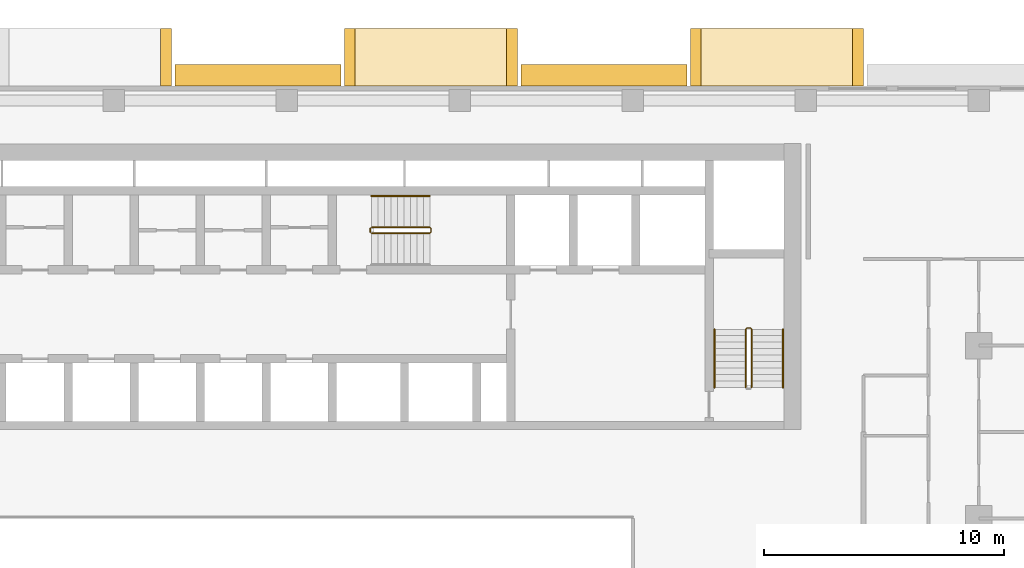
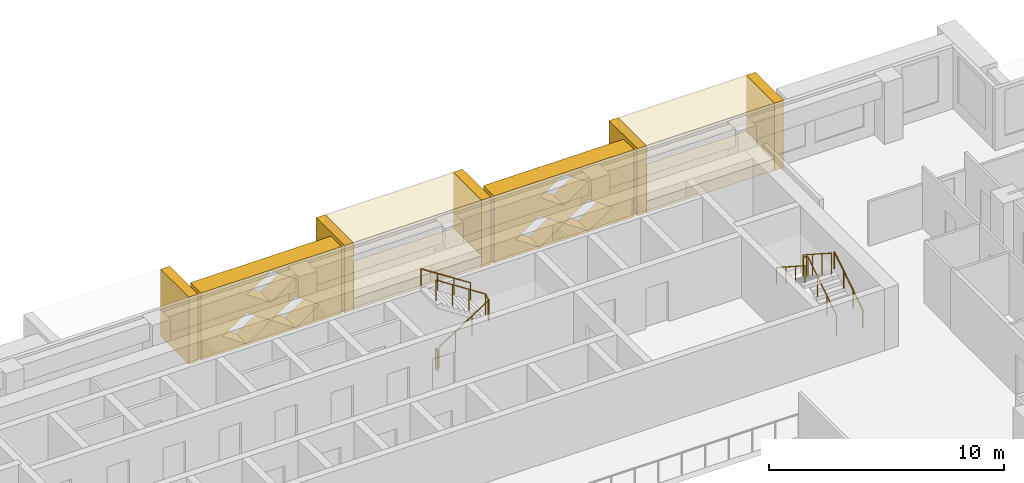
# One storey, part 19 of 20: 11 coverings, 6 railings.
"""IFC4 building model written with IfcOpenShell, lengths in metres."""

from ifc_helpers import new_model, si_unit, direction, frame, origin, origin_2d, place, context, subcontext, project, spatial, polyline, circle, outline, extrude, material, type_object, element, save


model = new_model("IFC4")

# Units and contexts
model_context = context("Model", 3, precision=1e-05, world=origin(), true_north=direction((0.0, 1.0)))
body_context = subcontext(model_context, "Body", "Model", "MODEL_VIEW")
ifc_project = project(units=[si_unit("LENGTHUNIT", "METRE"), si_unit("AREAUNIT", "SQUARE_METRE"), si_unit("VOLUMEUNIT", "CUBIC_METRE"), si_unit("PLANEANGLEUNIT", "RADIAN"), si_unit("MASSUNIT", "GRAM", prefix="KILO")], contexts=[model_context])

# Site, building, storey
site_placement = place(None, origin())
site = spatial("IfcSite", under=ifc_project, at=site_placement, CompositionType="ELEMENT")
building_placement = place(site_placement, origin())
building = spatial("IfcBuilding", under=site, at=building_placement, Name="Saffron Iwan Residences", CompositionType="ELEMENT")
storey_placement = place(building_placement, frame((0.0, 0.0, 123.5)))
storey = spatial("IfcBuildingStorey", under=building, at=storey_placement, Name="L32", CompositionType="ELEMENT", Elevation=123.5)

# Coverings
ifc_material_1 = material(Name="Precast concrete C40/50", Category="concrete")
covering_type_1 = type_object("IfcCoveringType", Name="OUTER SKIN LATTICE SCREEN", PredefinedType="CLADDING", material=ifc_material_1)
for number, where, z_axis, x_axis, name in (
    (1, (67.050048828125, 80.39990234375, -0.300048828125), (0.0, 1.0, 0.0), (-1.0, 0.0, 0.0), "OUTER SKIN lattice screen L32 F5.1"),
    (2, (52.64990234375, 80.39990234375, -0.300048828125), (0.0, 1.0, 0.0), (-1.0, 0.0, 0.0), "OUTER SKIN lattice screen L32 F5.2"),
):
    element("IfcCovering", number, at=place(storey_placement, frame(where, z_axis=z_axis, x_axis=x_axis)), inside=storey, type_object=covering_type_1, Name=name, PredefinedType="CLADDING", context=body_context, shape_type="SweptSolid", body=[
        extrude(outline(polyline([(0.0, 0.0), (6.89990234375, 0.0), (6.89990234375, 3.5), (0.0, 3.5), (0.0, 0.0)]), holes=[polyline([(1.070068359375, 0.875), (2.25, 0.06005859375), (3.429931640625, 0.875), (2.25, 1.68994140625), (1.070068359375, 0.875)]), polyline([(3.469970703125, 0.875), (4.64990234375, 0.06005859375), (5.830078125, 0.875), (4.64990234375, 1.68994140625), (3.469970703125, 0.875)]), polyline([(2.27001953125, 2.625), (3.449951171875, 1.81005859375), (4.6298828125, 2.625), (3.449951171875, 3.43994140625), (2.27001953125, 2.625)])]), origin(), (0.0, 0.0, 1.0), 0.900146484375),
    ])

# Railings
ifc_material_2 = material(Name="Steel S355", Category="steel")
railing_type_1 = type_object("IfcRailingType", Name="Stair guard 1100", PredefinedType="GUARDRAIL", material=ifc_material_2)
railing_1_placement = place(storey_placement, frame((53.925048828125, 74.27490234375, 0.175048828125)))
element("IfcRailing", 3, at=railing_1_placement, inside=storey, type_object=railing_type_1, Name="L32 ST-C stair guard 1", PredefinedType="GUARDRAIL", context=body_context, shape_type="SweptSolid", body=[
    extrude(circle(Radius=0.02392578125, at=origin_2d()), frame((0.0, 0.0, 1.076171875), z_axis=(0.839153699163, 0.0, 0.543894354798), x_axis=(0.0, 1.0, 0.0)), (0.0, 0.0, 1.0), 2.895751953125),
    extrude(circle(Radius=0.02392578125, at=origin_2d()), frame((2.429931640625, 0.0, 2.65087890625), z_axis=(0.707106781187, 0.707106781187, 0.0), x_axis=(-0.707106781187, 0.707106781187, 0.0)), (0.0, 0.0, 1.0), 0.07080078125),
    extrude(circle(Radius=0.02392578125, at=origin_2d()), frame((2.47998046875, 0.050048828125, 2.65087890625), z_axis=(0.0, 1.0, 0.0), x_axis=(-1.0, 0.0, 0.0)), (0.0, 0.0, 1.0), 0.150146484375),
    extrude(circle(Radius=0.02392578125, at=origin_2d()), frame((2.47998046875, 0.2001953125, 2.65087890625), z_axis=(-0.265155923931, 0.263862480399, 0.927399011991), x_axis=(-0.705375805398, -0.708833529934, 0.0)), (0.0, 0.0, 1.0), 0.188720703125),
    extrude(circle(Radius=0.02392578125, at=origin_2d()), frame((2.429931640625, 0.25, 2.826171875), z_axis=(-0.839153699163, 0.0, 0.543894354798), x_axis=(0.0, -1.0, 0.0)), (0.0, 0.0, 1.0), 2.895751953125),
    extrude(circle(Radius=0.02099609375, at=origin_2d()), origin(), (0.0, 0.0, 1.0), 1.052001953125),
    extrude(circle(Radius=0.02099609375, at=origin_2d()), frame((0.81005859375, 0.0, 0.52490234375)), (0.0, 0.0, 1.0), 1.052001953125),
    extrude(circle(Radius=0.02099609375, at=origin_2d()), frame((1.619873046875, 0.0, 1.050048828125)), (0.0, 0.0, 1.0), 1.052001953125),
    extrude(circle(Radius=0.02099609375, at=origin_2d()), frame((2.429931640625, 0.0, 1.574951171875)), (0.0, 0.0, 1.0), 1.052001953125),
    extrude(circle(Radius=0.02099609375, at=origin_2d()), frame((2.47998046875, 0.050048828125, 1.574951171875)), (0.0, 0.0, 1.0), 1.052001953125),
    extrude(circle(Radius=0.02099609375, at=origin_2d()), frame((2.47998046875, 0.2001953125, 1.574951171875)), (0.0, 0.0, 1.0), 1.052001953125),
    extrude(circle(Radius=0.02099609375, at=origin_2d()), frame((2.429931640625, 0.25, 1.75)), (0.0, 0.0, 1.0), 1.052001953125),
    extrude(circle(Radius=0.02099609375, at=origin_2d()), frame((1.619873046875, 0.25, 2.27490234375)), (0.0, 0.0, 1.0), 1.052001953125),
    extrude(circle(Radius=0.02099609375, at=origin_2d()), frame((0.81005859375, 0.25, 2.800048828125)), (0.0, 0.0, 1.0), 1.052001953125),
    extrude(circle(Radius=0.02099609375, at=origin_2d()), frame((0.0, 0.25, 3.324951171875)), (0.0, 0.0, 1.0), 1.052001953125),
])
railing_2_placement = place(storey_placement, frame((53.875, 74.324951171875, 0.0)))
element("IfcRailing", 4, at=railing_2_placement, inside=storey, type_object=railing_type_1, Name="L32 ST-C stair guard 2", PredefinedType="GUARDRAIL", context=body_context, shape_type="SweptSolid", body=[
    extrude(circle(Radius=0.02392578125, at=origin_2d()), frame((0.0, 0.0, 1.076171875), z_axis=(0.0, 1.0, 0.0), x_axis=(-1.0, 0.0, 0.0)), (0.0, 0.0, 1.0), 0.150146484375),
    extrude(circle(Radius=0.02099609375, at=origin_2d()), origin(), (0.0, 0.0, 1.0), 1.052001953125),
    extrude(circle(Radius=0.02099609375, at=origin_2d()), frame((0.0, 0.150146484375, 0.0)), (0.0, 0.0, 1.0), 1.052001953125),
])
railing_3_placement = place(storey_placement, frame((69.75, 67.85009765625, 0.175048828125)))
element("IfcRailing", 5, at=railing_3_placement, inside=storey, type_object=railing_type_1, Name="L32 ST-E stair guard 1", PredefinedType="GUARDRAIL", context=body_context, shape_type="SweptSolid", body=[
    extrude(circle(Radius=0.02392578125, at=origin_2d()), frame((0.0, 0.0, 1.076171875), z_axis=(0.0, 0.839153699163, 0.543894354798), x_axis=(-1.0, 0.0, 0.0)), (0.0, 0.0, 1.0), 2.895751953125),
    extrude(circle(Radius=0.02392578125, at=origin_2d()), frame((0.0, 2.429931640625, 2.65087890625), z_axis=(-0.707106781187, 0.707106781187, 0.0), x_axis=(-0.707106781187, -0.707106781187, 0.0)), (0.0, 0.0, 1.0), 0.07080078125),
    extrude(circle(Radius=0.02392578125, at=origin_2d()), frame((-0.050048828125, 2.47998046875, 2.65087890625), z_axis=(-1.0, 0.0, 0.0), x_axis=(0.0, -1.0, 0.0)), (0.0, 0.0, 1.0), 0.14990234375),
    extrude(circle(Radius=0.02392578125, at=origin_2d()), frame((-0.199951171875, 2.47998046875, 2.65087890625), z_axis=(-0.265065253269, -0.265065253269, 0.927081885822), x_axis=(0.707106781187, -0.707106781187, 0.0)), (0.0, 0.0, 1.0), 0.188720703125),
    extrude(circle(Radius=0.02392578125, at=origin_2d()), frame((-0.25, 2.429931640625, 2.826171875), z_axis=(0.0, -0.839153699163, 0.543894354798), x_axis=(1.0, 0.0, 0.0)), (0.0, 0.0, 1.0), 2.895751953125),
    extrude(circle(Radius=0.02099609375, at=origin_2d()), origin(), (0.0, 0.0, 1.0), 1.052001953125),
    extrude(circle(Radius=0.02099609375, at=origin_2d()), frame((0.0, 0.81005859375, 0.52490234375)), (0.0, 0.0, 1.0), 1.052001953125),
    extrude(circle(Radius=0.02099609375, at=origin_2d()), frame((0.0, 1.619873046875, 1.050048828125)), (0.0, 0.0, 1.0), 1.052001953125),
    extrude(circle(Radius=0.02099609375, at=origin_2d()), frame((0.0, 2.429931640625, 1.574951171875)), (0.0, 0.0, 1.0), 1.052001953125),
    extrude(circle(Radius=0.02099609375, at=origin_2d()), frame((-0.050048828125, 2.47998046875, 1.574951171875)), (0.0, 0.0, 1.0), 1.052001953125),
    extrude(circle(Radius=0.02099609375, at=origin_2d()), frame((-0.199951171875, 2.47998046875, 1.574951171875)), (0.0, 0.0, 1.0), 1.052001953125),
    extrude(circle(Radius=0.02099609375, at=origin_2d()), frame((-0.25, 2.429931640625, 1.75)), (0.0, 0.0, 1.0), 1.052001953125),
    extrude(circle(Radius=0.02099609375, at=origin_2d()), frame((-0.25, 1.619873046875, 2.27490234375)), (0.0, 0.0, 1.0), 1.052001953125),
    extrude(circle(Radius=0.02099609375, at=origin_2d()), frame((-0.25, 0.81005859375, 2.800048828125)), (0.0, 0.0, 1.0), 1.052001953125),
    extrude(circle(Radius=0.02099609375, at=origin_2d()), frame((-0.25, 0.0, 3.324951171875)), (0.0, 0.0, 1.0), 1.052001953125),
])
ifc_material_3 = material(Name="Stainless steel 316", Category="steel")
railing_type_2 = type_object("IfcRailingType", Name="Stair handrail 900", PredefinedType="HANDRAIL", material=ifc_material_3)
railing_4_placement = place(storey_placement, frame((56.35498046875, 75.824951171875, 1.925048828125)))
element("IfcRailing", 6, at=railing_4_placement, inside=storey, type_object=railing_type_2, Name="L32 ST-C stair handrail 2", PredefinedType="HANDRAIL", context=body_context, shape_type="SweptSolid", body=[
    extrude(circle(Radius=0.02392578125, at=origin_2d()), frame((0.0, 0.0, 0.8759765625), z_axis=(-0.839153699163, 0.0, 0.543894354798), x_axis=(0.0, -1.0, 0.0)), (0.0, 0.0, 1.0), 2.895751953125),
    extrude(circle(Radius=0.02099609375, at=origin_2d()), origin(), (0.0, 0.0, 1.0), 0.851806640625),
    extrude(circle(Radius=0.02099609375, at=origin_2d()), frame((-0.81005859375, 0.0, 0.52490234375)), (0.0, 0.0, 1.0), 0.851806640625),
    extrude(circle(Radius=0.02099609375, at=origin_2d()), frame((-1.619873046875, 0.0, 1.050048828125)), (0.0, 0.0, 1.0), 0.851806640625),
    extrude(circle(Radius=0.02099609375, at=origin_2d()), frame((-2.429931640625, 0.0, 1.574951171875)), (0.0, 0.0, 1.0), 0.851806640625),
])
railing_5_placement = place(storey_placement, frame((71.050048828125, 67.85009765625, 0.175048828125)))
element("IfcRailing", 7, at=railing_5_placement, inside=storey, type_object=railing_type_2, Name="L32 ST-E stair handrail 1", PredefinedType="HANDRAIL", context=body_context, shape_type="SweptSolid", body=[
    extrude(circle(Radius=0.02392578125, at=origin_2d()), frame((0.0, 0.0, 0.8759765625), z_axis=(0.0, 0.839153699163, 0.543894354798), x_axis=(-1.0, 0.0, 0.0)), (0.0, 0.0, 1.0), 2.895751953125),
    extrude(circle(Radius=0.02099609375, at=origin_2d()), origin(), (0.0, 0.0, 1.0), 0.851806640625),
    extrude(circle(Radius=0.02099609375, at=origin_2d()), frame((0.0, 0.81005859375, 0.52490234375)), (0.0, 0.0, 1.0), 0.851806640625),
    extrude(circle(Radius=0.02099609375, at=origin_2d()), frame((0.0, 1.619873046875, 1.050048828125)), (0.0, 0.0, 1.0), 0.851806640625),
    extrude(circle(Radius=0.02099609375, at=origin_2d()), frame((0.0, 2.429931640625, 1.574951171875)), (0.0, 0.0, 1.0), 0.851806640625),
])
railing_6_placement = place(storey_placement, frame((68.199951171875, 70.280029296875, 1.925048828125)))
element("IfcRailing", 8, at=railing_6_placement, inside=storey, type_object=railing_type_2, Name="L32 ST-E stair handrail 2", PredefinedType="HANDRAIL", context=body_context, shape_type="SweptSolid", body=[
    extrude(circle(Radius=0.02392578125, at=origin_2d()), frame((0.0, 0.0, 0.8759765625), z_axis=(0.0, -0.839153699163, 0.543894354798), x_axis=(1.0, 0.0, 0.0)), (0.0, 0.0, 1.0), 2.895751953125),
    extrude(circle(Radius=0.02099609375, at=origin_2d()), origin(), (0.0, 0.0, 1.0), 0.851806640625),
    extrude(circle(Radius=0.02099609375, at=origin_2d()), frame((0.0, -0.81005859375, 0.52490234375)), (0.0, 0.0, 1.0), 0.851806640625),
    extrude(circle(Radius=0.02099609375, at=origin_2d()), frame((0.0, -1.619873046875, 1.050048828125)), (0.0, 0.0, 1.0), 0.851806640625),
    extrude(circle(Radius=0.02099609375, at=origin_2d()), frame((0.0, -2.429931640625, 1.574951171875)), (0.0, 0.0, 1.0), 0.851806640625),
])

# Coverings
ifc_material_4 = material(Name="Precast concrete C40/50 white painted", Category="concrete")
covering_type_2 = type_object("IfcCoveringType", Name="WHITE SUN FRAME PRECAST", PredefinedType="CLADDING", material=ifc_material_4)
for number, where, z_axis, x_axis, name in (
    (9, (74.39990234375, 80.39990234375, -0.300048828125), (0.0, 1.0, 0.0), (-1.0, 0.0, 0.0), "Sun frame L32 F5 8.4a"),
    (10, (67.64990234375, 80.39990234375, -0.300048828125), (0.0, 1.0, 0.0), (-1.0, 0.0, 0.0), "Sun frame L32 F5 8.4b"),
):
    element("IfcCovering", number, at=place(storey_placement, frame(where, z_axis=z_axis, x_axis=x_axis)), inside=storey, type_object=covering_type_2, Name=name, PredefinedType="CLADDING", context=body_context, shape_type="SweptSolid", body=[
        extrude(outline(polyline([(0.0, 0.0), (0.449951171875, 0.0), (0.449951171875, 3.5), (0.0, 3.5), (0.0, 0.0)])), origin(), (0.0, 0.0, 1.0), 2.400146484375),
    ])
for number, where, z_axis, x_axis, name in (
    (11, (73.949951171875, 80.39990234375, 2.60009765625), (0.0, 1.0, 0.0), (-1.0, 0.0, 0.0), "Sun frame L32 F5 8.4h"),
    (12, (73.949951171875, 80.39990234375, -0.300048828125), (0.0, 1.0, 0.0), (-1.0, 0.0, 0.0), "Sun frame L32 F5 8.4s"),
):
    element("IfcCovering", number, at=place(storey_placement, frame(where, z_axis=z_axis, x_axis=x_axis)), inside=storey, type_object=covering_type_2, Name=name, PredefinedType="CLADDING", context=body_context, shape_type="SweptSolid", body=[
        extrude(outline(polyline([(0.0, 0.0), (6.300048828125, 0.0), (6.300048828125, 0.60009765625), (0.0, 0.60009765625), (0.0, 0.0)])), origin(), (0.0, 0.0, 1.0), 2.400146484375),
    ])
for number, where, z_axis, x_axis, name in (
    (13, (60.0, 80.39990234375, -0.300048828125), (0.0, 1.0, 0.0), (-1.0, 0.0, 0.0), "Sun frame L32 F5 22.8a"),
    (14, (53.25, 80.39990234375, -0.300048828125), (0.0, 1.0, 0.0), (-1.0, 0.0, 0.0), "Sun frame L32 F5 22.8b"),
):
    element("IfcCovering", number, at=place(storey_placement, frame(where, z_axis=z_axis, x_axis=x_axis)), inside=storey, type_object=covering_type_2, Name=name, PredefinedType="CLADDING", context=body_context, shape_type="SweptSolid", body=[
        extrude(outline(polyline([(0.0, 0.0), (0.449951171875, 0.0), (0.449951171875, 3.5), (0.0, 3.5), (0.0, 0.0)])), origin(), (0.0, 0.0, 1.0), 2.400146484375),
    ])
for number, where, z_axis, x_axis, name in (
    (15, (59.550048828125, 80.39990234375, 2.60009765625), (0.0, 1.0, 0.0), (-1.0, 0.0, 0.0), "Sun frame L32 F5 22.8h"),
    (16, (59.550048828125, 80.39990234375, -0.300048828125), (0.0, 1.0, 0.0), (-1.0, 0.0, 0.0), "Sun frame L32 F5 22.8s"),
):
    element("IfcCovering", number, at=place(storey_placement, frame(where, z_axis=z_axis, x_axis=x_axis)), inside=storey, type_object=covering_type_2, Name=name, PredefinedType="CLADDING", context=body_context, shape_type="SweptSolid", body=[
        extrude(outline(polyline([(0.0, 0.0), (6.300048828125, 0.0), (6.300048828125, 0.60009765625), (0.0, 0.60009765625), (0.0, 0.0)])), origin(), (0.0, 0.0, 1.0), 2.400146484375),
    ])
covering_placement = place(storey_placement, frame((45.60009765625, 80.39990234375, -0.300048828125), z_axis=(0.0, 1.0, 0.0), x_axis=(-1.0, 0.0, 0.0)))
element("IfcCovering", 17, at=covering_placement, inside=storey, type_object=covering_type_2, Name="Sun frame L32 F5 37.2a", PredefinedType="CLADDING", context=body_context, shape_type="SweptSolid", body=[
    extrude(outline(polyline([(0.0, 0.0), (0.449951171875, 0.0), (0.449951171875, 3.5), (0.0, 3.5), (0.0, 0.0)])), origin(), (0.0, 0.0, 1.0), 2.400146484375),
])

save(model, "model.ifc")
